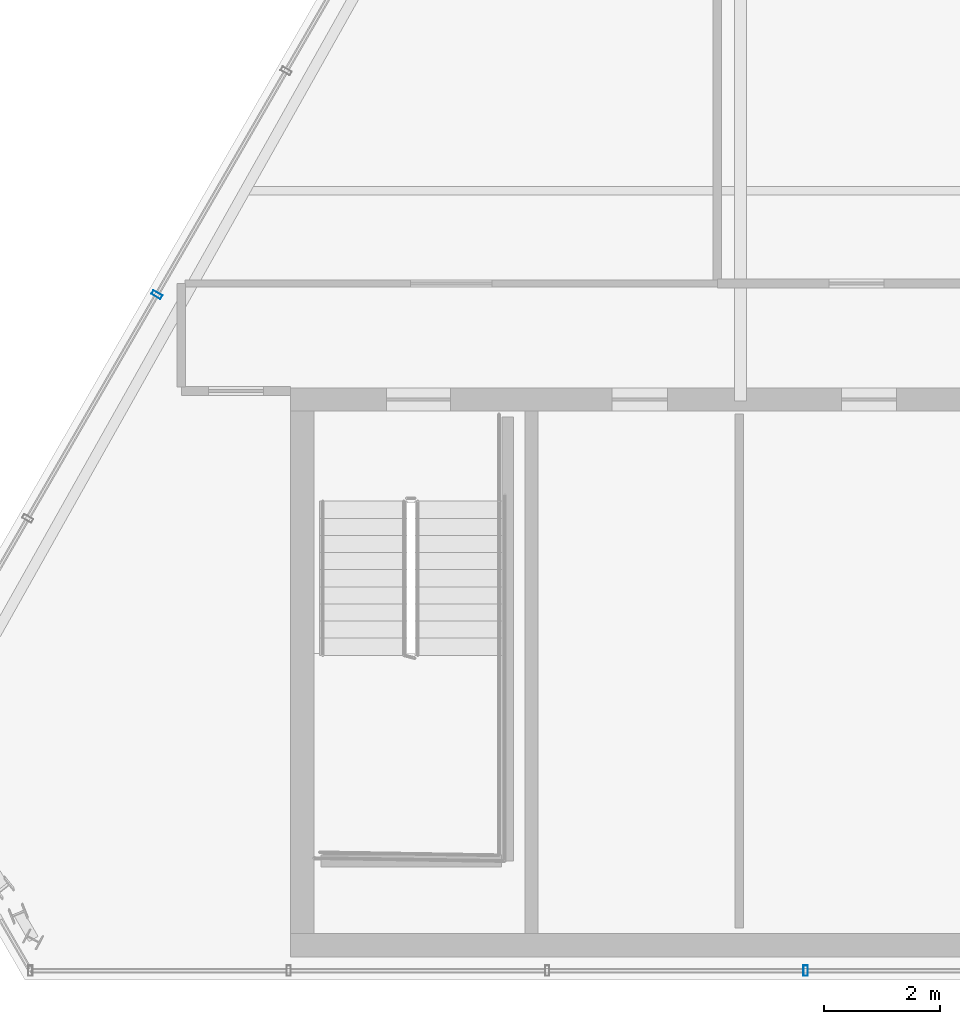
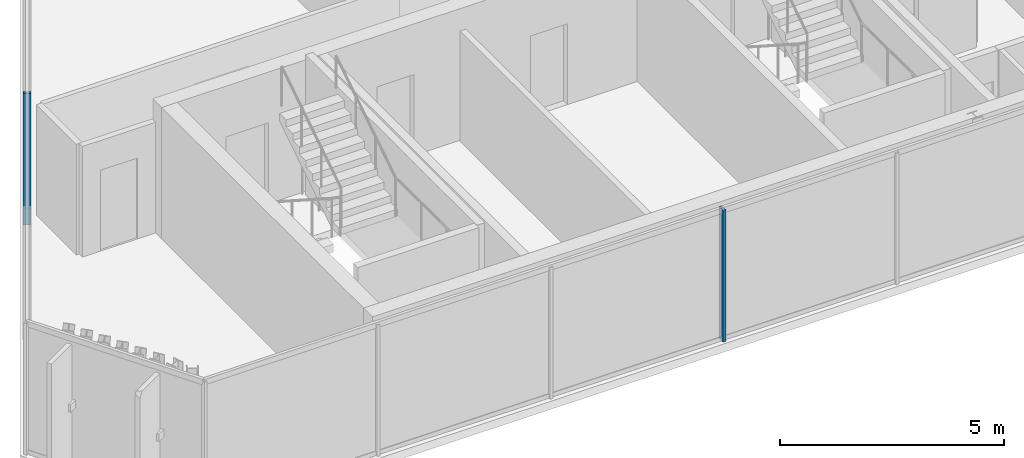
# One storey, part 4 of 32: 2 members, 2 elements without a shape of their own.
"""IFC4 building model written with IfcOpenShell, lengths in metres."""

from ifc_helpers import new_model, si_unit, direction, frame, origin, origin_2d, place, context, subcontext, project, spatial, hollow_rectangle, extrude, material, layer, layer_set, material_profile, profile_set, type_object, element, aggregate, save


model = new_model("IFC4")

# Units and contexts
model_context = context("Model", 3, precision=1e-05, world=origin(), true_north=direction((0.0, 1.0)))
body_context = subcontext(model_context, "Body", "Model", "MODEL_VIEW")
ifc_project = project(units=[si_unit("LENGTHUNIT", "METRE"), si_unit("AREAUNIT", "SQUARE_METRE"), si_unit("VOLUMEUNIT", "CUBIC_METRE"), si_unit("PLANEANGLEUNIT", "RADIAN"), si_unit("MASSUNIT", "GRAM", prefix="KILO")], contexts=[model_context])

# Site, building, storey
site_placement = place(None, origin())
site = spatial("IfcSite", under=ifc_project, at=site_placement, CompositionType="ELEMENT")
building_placement = place(site_placement, origin())
building = spatial("IfcBuilding", under=site, at=building_placement, Name="Ndaravel Arena Tower", CompositionType="ELEMENT")
storey_placement = place(building_placement, frame((0.0, 0.0, 290.89990234375)))
storey = spatial("IfcBuildingStorey", under=building, at=storey_placement, Name="L71", CompositionType="ELEMENT", Elevation=290.89990234375)

# Curtain wall, member
ifc_material_1 = material(Name="Aluminium", Category="aluminium")
ifc_layer = layer(ifc_material_1, 0.179931640625)
ifc_layer_set = layer_set([ifc_layer], Name="Aluminium")
curtain_wall_type = type_object("IfcCurtainWallType", Name="CW-SYS-03", PredefinedType="NOTDEFINED", material=ifc_layer_set)
curtain_wall_1_placement = place(storey_placement, origin())
curtain_wall_1 = element("IfcCurtainWall", 1, at=curtain_wall_1_placement, inside=storey, type_object=curtain_wall_type, Name="L71 Faceted Crystal Curtain Wall CW-L71-E01", PredefinedType="NOTDEFINED")
ifc_material_2 = material(Name="Aluminium", Category="aluminium")
ifc_material_profile = material_profile(ifc_material_2, hollow_rectangle(XDim=0.074951171875, YDim=0.179931640625, WallThickness=0.00390625, at=origin_2d()), Name="CW MULLION 75x180x4")
ifc_profile_set = profile_set([ifc_material_profile], Name="Aluminium")
member_type = type_object("IfcMemberType", Name="MEM-CW-MUL180", PredefinedType="MULLION", material=ifc_profile_set)
member_1_placement = place(storey_placement, frame((35.321533203125, 5.159912109375, 0.0), z_axis=(0.0, 0.0, 1.0), x_axis=(1.0, 0.0, 0.0)))
member_1 = element("IfcMember", 2, at=member_1_placement, type_object=member_type, Name="CW-L71-E01 Mullion 03", PredefinedType="MULLION", context=body_context, shape_type="SweptSolid", body=[
    extrude(hollow_rectangle(XDim=0.074951171875, YDim=0.179931640625, WallThickness=0.00390625, at=origin_2d()), origin(), (0.0, 0.0, 1.0), 3.580078125),
])
aggregate(curtain_wall_1, [member_1])

curtain_wall_2_placement = place(storey_placement, origin())
curtain_wall_2 = element("IfcCurtainWall", 3, at=curtain_wall_2_placement, inside=storey, type_object=curtain_wall_type, Name="L71 Faceted Crystal Curtain Wall CW-L71-E05", PredefinedType="NOTDEFINED")
member_2_placement = place(storey_placement, frame((24.144775390625, 16.807373046875, 0.0), z_axis=(0.0, 0.0, 1.0), x_axis=(-0.5, -0.866025403784, 0.0)))
member_2 = element("IfcMember", 4, at=member_2_placement, type_object=member_type, Name="CW-L71-E05 Mullion 07", PredefinedType="MULLION", context=body_context, shape_type="SweptSolid", body=[
    extrude(hollow_rectangle(XDim=0.074951171875, YDim=0.179931640625, WallThickness=0.00390625, at=origin_2d()), origin(), (0.0, 0.0, 1.0), 3.580078125),
])
aggregate(curtain_wall_2, [member_2])

save(model, "model.ifc")
